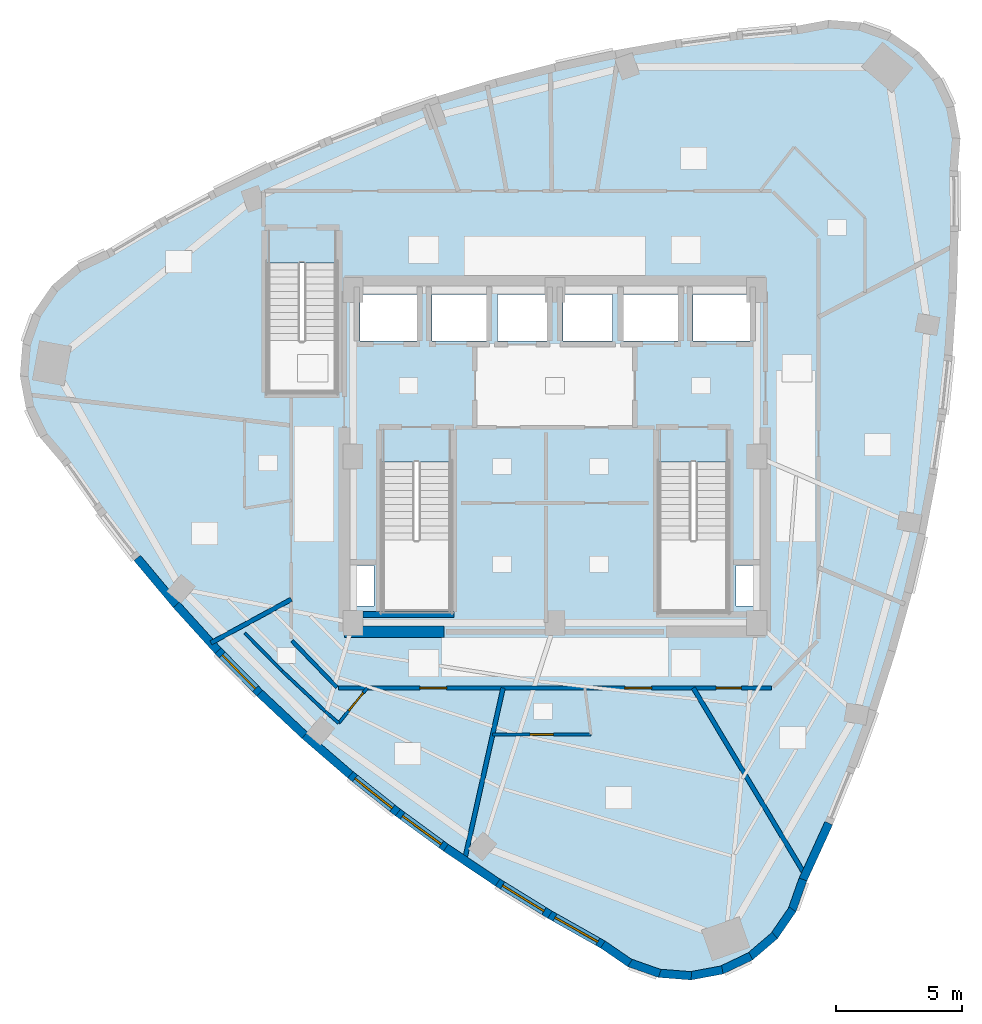
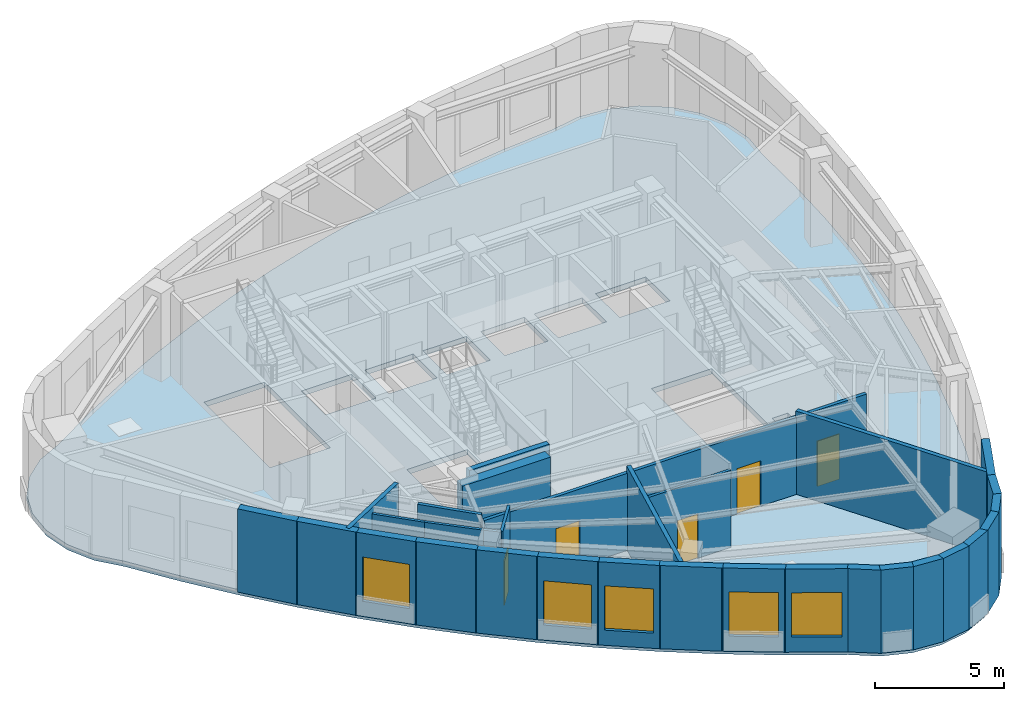
# One storey, part 2 of 9: 31 walls, 5 doors, 5 windows, 1 slab, 10 openings.
"""IFC4 building model written with IfcOpenShell, lengths in metres."""

from ifc_helpers import new_model, si_unit, direction, frame, frame_2d, origin, place, context, subcontext, project, spatial, polyline, rectangle, outline, extrude, material, layer, layer_set, type_object, element, fill, save


model = new_model("IFC4")

# Units and contexts
model_context = context("Model", 3, precision=1e-05, world=origin(), true_north=direction((0.0, 1.0)))
body_context = subcontext(model_context, "Body", "Model", "MODEL_VIEW")
ifc_project = project(units=[si_unit("LENGTHUNIT", "METRE"), si_unit("AREAUNIT", "SQUARE_METRE"), si_unit("VOLUMEUNIT", "CUBIC_METRE"), si_unit("PLANEANGLEUNIT", "RADIAN"), si_unit("MASSUNIT", "GRAM", prefix="KILO")], contexts=[model_context])

# Site, building, storey
site_placement = place(None, origin())
site = spatial("IfcSite", under=ifc_project, at=site_placement, CompositionType="ELEMENT")
building_placement = place(site_placement, origin())
building = spatial("IfcBuilding", under=site, at=building_placement, Name="Ndelora Gate Hotel", CompositionType="ELEMENT")
storey_placement = place(building_placement, frame((0.0, 0.0, 268.60009765625)))
storey = spatial("IfcBuildingStorey", under=building, at=storey_placement, Name="L67", CompositionType="ELEMENT", Elevation=268.60009765625)

# Slab
ifc_material_1 = material(Name="Concrete C40/50", Category="concrete")
ifc_layer_1 = layer(ifc_material_1, 0.25)
ifc_layer_set_1 = layer_set([ifc_layer_1], Name="Concrete C40/50")
slab_type = type_object("IfcSlabType", Name="SL-TWR-250", PredefinedType="FLOOR", material=ifc_layer_set_1)
slab_placement = place(storey_placement, frame((0.0, 0.0, -0.25)))
element("IfcSlab", 1, at=slab_placement, inside=storey, type_object=slab_type, Name="L67 Structural Floor Slab", PredefinedType="FLOOR", context=body_context, shape_type="SweptSolid", body=[
    extrude(outline(polyline([(-17.73193359375, 8.018798828125), (-18.863037109375, 7.4794921875), (-19.81591796875, 6.66552734375), (-20.525390625, 5.6328125), (-20.94384765625, 4.45166015625), (-21.0419921875, 3.20263671875), (-20.813720703125, 1.970458984375), (-20.2744140625, 0.839599609375), (-19.46044921875, -0.11328125), (-18.03662109375, -2.114990234375), (-16.54736328125, -4.044677734375), (-14.993408203125, -5.90185546875), (-13.3740234375, -7.686767578125), (-11.689697265625, -9.399658203125), (-9.9404296875, -11.0400390625), (-8.126220703125, -12.6083984375), (-6.24658203125, -14.104248046875), (-4.30224609375, -15.528076171875), (-2.292724609375, -16.87939453125), (-0.21826171875, -18.15869140625), (1.92138671875, -19.36572265625), (2.9541015625, -20.075439453125), (4.13525390625, -20.493896484375), (5.384521484375, -20.592041015625), (6.61669921875, -20.36376953125), (7.74755859375, -19.82421875), (8.700439453125, -19.010498046875), (9.41015625, -17.977783203125), (9.828369140625, -16.796630859375), (10.85009765625, -14.5625), (11.7763671875, -12.30810546875), (12.60791015625, -10.03369140625), (13.343994140625, -7.739013671875), (13.985107421875, -5.423828125), (14.53125, -3.088623046875), (14.982177734375, -0.7333984375), (15.337890625, 1.642333984375), (15.598876953125, 4.0380859375), (15.764404296875, 6.4541015625), (15.8349609375, 8.890380859375), (15.810546875, 11.346923828125), (15.90869140625, 12.59619140625), (15.680419921875, 13.828125), (15.14111328125, 14.959228515625), (14.3271484375, 15.912109375), (13.294677734375, 16.62158203125), (12.11328125, 17.0400390625), (10.8642578125, 17.13818359375), (9.632080078125, 16.909912109375), (7.1865234375, 16.677490234375), (4.77099609375, 16.352783203125), (2.385498046875, 15.935546875), (0.030029296875, 15.42578125), (-2.29541015625, 14.823486328125), (-4.5908203125, 14.12890625), (-6.85595703125, 13.341552734375), (-9.09130859375, 12.4619140625), (-11.29638671875, 11.489990234375), (-13.4716796875, 10.42529296875), (-15.616943359375, 9.268310546875), (-17.73193359375, 8.018798828125)]), holes=[polyline([(-6.85009765625, -0.22998046875), (-6.85009765625, -6.14990234375), (-4.1298828125, -6.14990234375), (-4.1298828125, -0.22998046875), (-6.85009765625, -0.22998046875)]), polyline([(4.1298828125, -0.22998046875), (4.1298828125, -6.14990234375), (6.85009765625, -6.14990234375), (6.85009765625, -0.22998046875), (4.1298828125, -0.22998046875)]), polyline([(-11.389892578125, 7.669921875), (-11.389892578125, 2.550048828125), (-8.669921875, 2.550048828125), (-8.669921875, 7.669921875), (-11.389892578125, 7.669921875)]), polyline([(-7.72998046875, 4.570068359375), (-5.469970703125, 4.570068359375), (-5.469970703125, 6.429931640625), (-7.72998046875, 6.429931640625), (-7.72998046875, 4.570068359375)]), polyline([(5.469970703125, 4.570068359375), (7.72998046875, 4.570068359375), (7.72998046875, 6.429931640625), (5.469970703125, 6.429931640625), (5.469970703125, 4.570068359375)]), polyline([(-4.8798828125, 4.570068359375), (-2.719970703125, 4.570068359375), (-2.719970703125, 6.429931640625), (-4.8798828125, 6.429931640625), (-4.8798828125, 4.570068359375)]), polyline([(2.719970703125, 4.570068359375), (4.8798828125, 4.570068359375), (4.8798828125, 6.429931640625), (2.719970703125, 6.429931640625), (2.719970703125, 4.570068359375)]), polyline([(-2.280029296875, 4.570068359375), (-0.320068359375, 4.570068359375), (-0.320068359375, 6.429931640625), (-2.280029296875, 6.429931640625), (-2.280029296875, 4.570068359375)]), polyline([(0.320068359375, 4.570068359375), (2.280029296875, 4.570068359375), (2.280029296875, 6.429931640625), (0.320068359375, 6.429931640625), (0.320068359375, 4.570068359375)]), polyline([(-7.89990234375, -5.919921875), (-7.179931640625, -5.919921875), (-7.179931640625, -4.320068359375), (-7.89990234375, -4.320068359375), (-7.89990234375, -5.919921875)]), polyline([(7.179931640625, -5.919921875), (7.89990234375, -5.919921875), (7.89990234375, -4.320068359375), (7.179931640625, -4.320068359375), (7.179931640625, -5.919921875)])]), origin(), (0.0, 0.0, 1.0), 0.25),
])

# Walls
ifc_material_2 = material(Name="Acoustic Double-Stud Gypsum Assembly", Category="gypsum")
ifc_layer_2 = layer(ifc_material_2, 0.179931640625)
ifc_layer_set_2 = layer_set([ifc_layer_2], Name="Acoustic Double-Stud Gypsum Assembly")
wall_type_1 = type_object("IfcWallType", Name="WL-ACOUST-180", PredefinedType="PARTITIONING", material=ifc_layer_set_2)
wall_1_placement = place(storey_placement, frame((-10.449951171875, -5.665283203125, 0.0), z_axis=(0.0, 0.0, 1.0), x_axis=(-0.87913221744, -0.476577951922, 0.0)))
element("IfcWall", 2, at=wall_1_placement, inside=storey, type_object=wall_type_1, Name="L67 Interior Wall IW-3", PredefinedType="PARTITIONING", context=body_context, shape_type="SweptSolid", body=[
    extrude(rectangle(XDim=3.6279296875, YDim=0.179931640625, at=frame_2d((1.81396484375, 0.0))), origin(), (0.0, 0.0, 1.0), 3.949951171875),
])
wall_2_placement = place(storey_placement, frame((-2.054931640625, -9.179931640625, 0.0), z_axis=(0.0, 0.0, 1.0), x_axis=(-0.218433184148, -0.97585190683, 0.0)))
element("IfcWall", 3, at=wall_2_placement, inside=storey, type_object=wall_type_1, Name="L67 Interior Wall IW-3", PredefinedType="PARTITIONING", context=body_context, shape_type="SweptSolid", body=[
    extrude(rectangle(XDim=7.0, YDim=0.179931640625, at=frame_2d((3.5, 0.0))), origin(), (0.0, 0.0, 1.0), 3.949951171875),
])
wall_3_placement = place(storey_placement, frame((5.488037109375, -9.179931640625, 0.0), z_axis=(0.0, 0.0, 1.0), x_axis=(0.513144382801, -0.858302302455, 0.0)))
element("IfcWall", 4, at=wall_3_placement, inside=storey, type_object=wall_type_1, Name="L67 Interior Wall IW-3", PredefinedType="PARTITIONING", context=body_context, shape_type="SweptSolid", body=[
    extrude(rectangle(XDim=8.638671875, YDim=0.179931640625, at=frame_2d((4.3193359375, 0.0))), origin(), (0.0, 0.0, 1.0), 3.949951171875),
])
ifc_material_3 = material(Name="Clay Brick Masonry", Category="masonry")
ifc_layer_3 = layer(ifc_material_3, 0.330078125)
ifc_layer_set_3 = layer_set([ifc_layer_3], Name="Clay Brick Masonry")
wall_type_2 = type_object("IfcWallType", Name="WL-BRICK-330", PredefinedType="SOLIDWALL", material=ifc_layer_set_3)
wall_4_placement = place(storey_placement, frame((-14.977294921875, -5.9208984375, 0.0), z_axis=(0.0, 0.0, 1.0), x_axis=(-0.641757017805, 0.76690803236, 0.0)))
element("IfcWall", 5, at=wall_4_placement, inside=storey, type_object=wall_type_2, Name="L67 Tower Brick Pier-and-Spandrel Wall TWR-11", PredefinedType="SOLIDWALL", context=body_context, shape_type="SweptSolid", body=[
    extrude(rectangle(XDim=2.4716796875, YDim=0.330078125, at=frame_2d((1.23583984375, 0.0))), origin(), (0.0, 0.0, 1.0), 3.949951171875),
])
wall_5_placement = place(storey_placement, frame((-13.357421875, -7.705322265625, 0.0), z_axis=(0.0, 0.0, 1.0), x_axis=(-0.671827602416, 0.740707548653, 0.0)))
element("IfcWall", 6, at=wall_5_placement, inside=storey, type_object=wall_type_2, Name="L67 Tower Brick Pier-and-Spandrel Wall TWR-12", PredefinedType="SOLIDWALL", context=body_context, shape_type="SweptSolid", body=[
    extrude(rectangle(XDim=2.4599609375, YDim=0.330078125, at=frame_2d((1.22998046875, 0.0))), origin(), (0.0, 0.0, 1.0), 3.949951171875),
])

# Wall, opening, window
wall_6_placement = place(storey_placement, frame((-11.67236328125, -9.41748046875, 0.0), z_axis=(0.0, 0.0, 1.0), x_axis=(-0.701107893647, 0.713055202257, 0.0)))
wall_6 = element("IfcWall", 7, at=wall_6_placement, inside=storey, type_object=wall_type_2, Name="L67 Tower Brick Pier-and-Spandrel Wall TWR-13", PredefinedType="SOLIDWALL", context=body_context, shape_type="SweptSolid", body=[
    extrude(rectangle(XDim=2.4521484375, YDim=0.330078125, at=frame_2d((1.22607421875, 0.0))), origin(), (0.0, 0.0, 1.0), 3.949951171875),
])
opening_1_placement = place(wall_6_placement, frame((0.281005859375, 0.0, 0.719970703125)))
opening_1 = element("IfcOpeningElement", 8, at=opening_1_placement, cuts=wall_6, Name="Opening W08", PredefinedType="OPENING", context=body_context, shape_type="SweptSolid", body=[
    extrude(rectangle(XDim=1.889892578125, YDim=2.10009765625, at=frame_2d((0.94482421875, 1.050048828125))), frame((0.0, 0.175048828125, 0.0), z_axis=(0.0, -1.0, 0.0), x_axis=(1.0, 0.0, 0.0)), (0.0, 0.0, 1.0), 0.35009765625),
])
ifc_material_4 = material(Name="Insulated Low-E Double Glazing in Bronze Aluminium Frame", Category="aluminium")
window_type = type_object("IfcWindowType", Name="WN-PENT-2250", PartitioningType="SINGLE_PANEL", PredefinedType="WINDOW", material=ifc_material_4)
window_1_placement = place(opening_1_placement, origin())
window_1 = element("IfcWindow", 9, at=window_1_placement, inside=storey, type_object=window_type, Name="L67 Deep-Set Brick-Pier Window W08", OverallHeight=2.10009765625, OverallWidth=1.889892578125, PartitioningType="SINGLE_PANEL", PredefinedType="WINDOW", context=body_context, shape_type="SweptSolid", body=[
    extrude(rectangle(XDim=1.889892578125, YDim=2.10009765625, at=frame_2d((0.94482421875, 1.050048828125))), frame((0.0, 0.030029296875, 0.0), z_axis=(0.0, -1.0, 0.0), x_axis=(1.0, 0.0, 0.0)), (0.0, 0.0, 1.0), 0.06005859375),
])
fill(opening_1, window_1)

# Walls
wall_7_placement = place(storey_placement, frame((-9.92236328125, -11.05712890625, 0.0), z_axis=(0.0, 0.0, 1.0), x_axis=(-0.72943145169, 0.68405391402, 0.0)))
element("IfcWall", 10, at=wall_7_placement, inside=storey, type_object=wall_type_2, Name="L67 Tower Brick Pier-and-Spandrel Wall TWR-14", PredefinedType="SOLIDWALL", context=body_context, shape_type="SweptSolid", body=[
    extrude(rectangle(XDim=2.447998046875, YDim=0.330078125, at=frame_2d((1.22412109375, 0.0))), origin(), (0.0, 0.0, 1.0), 3.949951171875),
])
wall_8_placement = place(storey_placement, frame((-8.107177734375, -12.62451171875, 0.0), z_axis=(0.0, 0.0, 1.0), x_axis=(-0.756596491388, 0.653882060634, 0.0)))
element("IfcWall", 11, at=wall_8_placement, inside=storey, type_object=wall_type_2, Name="L67 Tower Brick Pier-and-Spandrel Wall TWR-15", PredefinedType="SOLIDWALL", context=body_context, shape_type="SweptSolid", body=[
    extrude(rectangle(XDim=2.4482421875, YDim=0.330078125, at=frame_2d((1.22412109375, 0.0))), origin(), (0.0, 0.0, 1.0), 3.949951171875),
])

# Wall, opening, window
wall_9_placement = place(storey_placement, frame((-6.22705078125, -14.119873046875, 0.0), z_axis=(0.0, 0.0, 1.0), x_axis=(-0.782430159528, 0.622738344299, 0.0)))
wall_9 = element("IfcWall", 12, at=wall_9_placement, inside=storey, type_object=wall_type_2, Name="L67 Tower Brick Pier-and-Spandrel Wall TWR-16", PredefinedType="SOLIDWALL", context=body_context, shape_type="SweptSolid", body=[
    extrude(rectangle(XDim=2.4521484375, YDim=0.330078125, at=frame_2d((1.22607421875, 0.0))), origin(), (0.0, 0.0, 1.0), 3.949951171875),
])
opening_2_placement = place(wall_9_placement, frame((0.281005859375, 0.0, 0.719970703125)))
opening_2 = element("IfcOpeningElement", 13, at=opening_2_placement, cuts=wall_9, Name="Opening W08", PredefinedType="OPENING", context=body_context, shape_type="SweptSolid", body=[
    extrude(rectangle(XDim=1.889892578125, YDim=2.10009765625, at=frame_2d((0.94482421875, 1.050048828125))), frame((0.0, 0.175048828125, 0.0), z_axis=(0.0, -1.0, 0.0), x_axis=(1.0, 0.0, 0.0)), (0.0, 0.0, 1.0), 0.35009765625),
])
window_2_placement = place(opening_2_placement, origin())
window_2 = element("IfcWindow", 14, at=window_2_placement, inside=storey, type_object=window_type, Name="L67 Deep-Set Brick-Pier Window W08", OverallHeight=2.10009765625, OverallWidth=1.889892578125, PartitioningType="SINGLE_PANEL", PredefinedType="WINDOW", context=body_context, shape_type="SweptSolid", body=[
    extrude(rectangle(XDim=1.889892578125, YDim=2.10009765625, at=frame_2d((0.94482421875, 1.050048828125))), frame((0.0, 0.030029296875, 0.0), z_axis=(0.0, -1.0, 0.0), x_axis=(1.0, 0.0, 0.0)), (0.0, 0.0, 1.0), 0.06005859375),
])
fill(opening_2, window_2)

wall_10_placement = place(storey_placement, frame((-4.281982421875, -15.542724609375, 0.0), z_axis=(0.0, 0.0, 1.0), x_axis=(-0.806878025258, 0.59071808196, 0.0)))
wall_10 = element("IfcWall", 15, at=wall_10_placement, inside=storey, type_object=wall_type_2, Name="L67 Tower Brick Pier-and-Spandrel Wall TWR-17", PredefinedType="SOLIDWALL", context=body_context, shape_type="SweptSolid", body=[
    extrude(rectangle(XDim=2.4599609375, YDim=0.330078125, at=frame_2d((1.22998046875, 0.0))), origin(), (0.0, 0.0, 1.0), 3.949951171875),
])
opening_3_placement = place(wall_10_placement, frame((0.27978515625, 0.0, 0.719970703125)))
opening_3 = element("IfcOpeningElement", 16, at=opening_3_placement, cuts=wall_10, Name="Opening W08", PredefinedType="OPENING", context=body_context, shape_type="SweptSolid", body=[
    extrude(rectangle(XDim=1.89990234375, YDim=2.10009765625, at=frame_2d((0.949951171875, 1.050048828125))), frame((0.0, 0.175048828125, 0.0), z_axis=(0.0, -1.0, 0.0), x_axis=(1.0, 0.0, 0.0)), (0.0, 0.0, 1.0), 0.35009765625),
])
window_3_placement = place(opening_3_placement, origin())
window_3 = element("IfcWindow", 17, at=window_3_placement, inside=storey, type_object=window_type, Name="L67 Deep-Set Brick-Pier Window W08", OverallHeight=2.10009765625, OverallWidth=1.89990234375, PartitioningType="SINGLE_PANEL", PredefinedType="WINDOW", context=body_context, shape_type="SweptSolid", body=[
    extrude(rectangle(XDim=1.89990234375, YDim=2.10009765625, at=frame_2d((0.949951171875, 1.050048828125))), frame((0.0, 0.030029296875, 0.0), z_axis=(0.0, -1.0, 0.0), x_axis=(1.0, 0.0, 0.0)), (0.0, 0.0, 1.0), 0.06005859375),
])
fill(opening_3, window_3)

# Wall
wall_11_placement = place(storey_placement, frame((-2.27197265625, -16.8935546875, 0.0), z_axis=(0.0, 0.0, 1.0), x_axis=(-0.829748723079, 0.558137130594, 0.0)))
element("IfcWall", 18, at=wall_11_placement, inside=storey, type_object=wall_type_2, Name="L67 Tower Brick Pier-and-Spandrel Wall TWR-18", PredefinedType="SOLIDWALL", context=body_context, shape_type="SweptSolid", body=[
    extrude(rectangle(XDim=2.471923828125, YDim=0.330078125, at=frame_2d((1.23583984375, 0.0))), origin(), (0.0, 0.0, 1.0), 3.949951171875),
])

# Wall, opening, window
wall_12_placement = place(storey_placement, frame((-0.197021484375, -18.171875, 0.0), z_axis=(0.0, 0.0, 1.0), x_axis=(-0.851175986277, 0.524880405792, 0.0)))
wall_12 = element("IfcWall", 19, at=wall_12_placement, inside=storey, type_object=wall_type_2, Name="L67 Tower Brick Pier-and-Spandrel Wall TWR-19", PredefinedType="SOLIDWALL", context=body_context, shape_type="SweptSolid", body=[
    extrude(rectangle(XDim=2.487060546875, YDim=0.330078125, at=frame_2d((1.24365234375, 0.0))), origin(), (0.0, 0.0, 1.0), 3.949951171875),
])
opening_4_placement = place(wall_12_placement, frame((0.278564453125, 0.0, 0.719970703125)))
opening_4 = element("IfcOpeningElement", 20, at=opening_4_placement, cuts=wall_12, Name="Opening W08", PredefinedType="OPENING", context=body_context, shape_type="SweptSolid", body=[
    extrude(rectangle(XDim=1.929931640625, YDim=2.10009765625, at=frame_2d((0.96484375, 1.050048828125))), frame((0.0, 0.175048828125, 0.0), z_axis=(0.0, -1.0, 0.0), x_axis=(1.0, 0.0, 0.0)), (0.0, 0.0, 1.0), 0.35009765625),
])
window_4_placement = place(opening_4_placement, origin())
window_4 = element("IfcWindow", 21, at=window_4_placement, inside=storey, type_object=window_type, Name="L67 Deep-Set Brick-Pier Window W08", OverallHeight=2.10009765625, OverallWidth=1.929931640625, PartitioningType="SINGLE_PANEL", PredefinedType="WINDOW", context=body_context, shape_type="SweptSolid", body=[
    extrude(rectangle(XDim=1.929931640625, YDim=2.10009765625, at=frame_2d((0.96484375, 1.050048828125))), frame((0.0, 0.030029296875, 0.0), z_axis=(0.0, -1.0, 0.0), x_axis=(1.0, 0.0, 0.0)), (0.0, 0.0, 1.0), 0.06005859375),
])
fill(opening_4, window_4)

wall_13_placement = place(storey_placement, frame((1.943359375, -19.378173828125, 0.0), z_axis=(0.0, 0.0, 1.0), x_axis=(-0.870968849899, 0.491338236357, 0.0)))
wall_13 = element("IfcWall", 22, at=wall_13_placement, inside=storey, type_object=wall_type_2, Name="L67 Tower Brick Pier-and-Spandrel Wall TWR-20", PredefinedType="SOLIDWALL", context=body_context, shape_type="SweptSolid", body=[
    extrude(rectangle(XDim=2.5068359375, YDim=0.330078125, at=frame_2d((1.25341796875, 0.0))), origin(), (0.0, 0.0, 1.0), 3.949951171875),
])
opening_5_placement = place(wall_13_placement, frame((0.2783203125, 0.0, 0.719970703125)))
opening_5 = element("IfcOpeningElement", 23, at=opening_5_placement, cuts=wall_13, Name="Opening W08", PredefinedType="OPENING", context=body_context, shape_type="SweptSolid", body=[
    extrude(rectangle(XDim=1.949951171875, YDim=2.10009765625, at=frame_2d((0.97509765625, 1.050048828125))), frame((0.0, 0.175048828125, 0.0), z_axis=(0.0, -1.0, 0.0), x_axis=(1.0, 0.0, 0.0)), (0.0, 0.0, 1.0), 0.35009765625),
])
window_5_placement = place(opening_5_placement, origin())
window_5 = element("IfcWindow", 24, at=window_5_placement, inside=storey, type_object=window_type, Name="L67 Deep-Set Brick-Pier Window W08", OverallHeight=2.10009765625, OverallWidth=1.949951171875, PartitioningType="SINGLE_PANEL", PredefinedType="WINDOW", context=body_context, shape_type="SweptSolid", body=[
    extrude(rectangle(XDim=1.949951171875, YDim=2.10009765625, at=frame_2d((0.97509765625, 1.050048828125))), frame((0.0, 0.030029296875, 0.0), z_axis=(0.0, -1.0, 0.0), x_axis=(1.0, 0.0, 0.0)), (0.0, 0.0, 1.0), 0.06005859375),
])
fill(opening_5, window_5)

# Walls
wall_14_placement = place(storey_placement, frame((2.974609375, -20.089599609375, 0.0), z_axis=(0.0, 0.0, 1.0), x_axis=(-0.824096593529, 0.566449295643, 0.0)))
element("IfcWall", 25, at=wall_14_placement, inside=storey, type_object=wall_type_2, Name="L67 Tower Brick Pier-and-Spandrel Wall TWR-21", PredefinedType="SOLIDWALL", context=body_context, shape_type="SweptSolid", body=[
    extrude(rectangle(XDim=1.302978515625, YDim=0.330078125, at=frame_2d((0.6513671875, 0.0))), origin(), (0.0, 0.0, 1.0), 3.949951171875),
])
wall_15_placement = place(storey_placement, frame((4.158935546875, -20.502197265625, 0.0), z_axis=(0.0, 0.0, 1.0), x_axis=(-0.942637049927, 0.333819400431, 0.0)))
element("IfcWall", 26, at=wall_15_placement, inside=storey, type_object=wall_type_2, Name="L67 Tower Brick Pier-and-Spandrel Wall TWR-22", PredefinedType="SOLIDWALL", context=body_context, shape_type="SweptSolid", body=[
    extrude(rectangle(XDim=1.30322265625, YDim=0.330078125, at=frame_2d((0.651611328125, 0.0))), origin(), (0.0, 0.0, 1.0), 3.949951171875),
])
for number, where, z_axis, x_axis, name in (
    (27, (5.409423828125, -20.593994140625, 0.0), (0.0, 0.0, 1.0), (-0.996913988439, 0.078501590144, 0.0), "L67 Tower Brick Pier-and-Spandrel Wall TWR-23"),
    (28, (6.64111328125, -20.359130859375, 0.0), (0.0, 0.0, 1.0), (-0.983243468193, -0.182297236005, 0.0), "L67 Tower Brick Pier-and-Spandrel Wall TWR-24"),
):
    element("IfcWall", number, at=place(storey_placement, frame(where, z_axis=z_axis, x_axis=x_axis)), inside=storey, type_object=wall_type_2, Name=name, PredefinedType="SOLIDWALL", context=body_context, shape_type="SweptSolid", body=[
        extrude(rectangle(XDim=1.302978515625, YDim=0.330078125, at=frame_2d((0.6513671875, 0.0))), origin(), (0.0, 0.0, 1.0), 3.949951171875),
    ])
wall_16_placement = place(storey_placement, frame((7.770263671875, -19.8134765625, 0.0), z_axis=(0.0, 0.0, 1.0), x_axis=(-0.902590242775, -0.430500701099, 0.0)))
element("IfcWall", 29, at=wall_16_placement, inside=storey, type_object=wall_type_2, Name="L67 Tower Brick Pier-and-Spandrel Wall TWR-25", PredefinedType="SOLIDWALL", context=body_context, shape_type="SweptSolid", body=[
    extrude(rectangle(XDim=1.30322265625, YDim=0.330078125, at=frame_2d((0.651611328125, 0.0))), origin(), (0.0, 0.0, 1.0), 3.949951171875),
])
for number, where, z_axis, x_axis, name in (
    (30, (8.719482421875, -18.994384765625, 0.0), (0.0, 0.0, 1.0), (-0.760471977712, -0.649370750123, 0.0), "L67 Tower Brick Pier-and-Spandrel Wall TWR-26"),
    (31, (9.42431640625, -17.957275390625, 0.0), (0.0, 0.0, 1.0), (-0.566449295643, -0.824096593529, 0.0), "L67 Tower Brick Pier-and-Spandrel Wall TWR-27"),
):
    element("IfcWall", number, at=place(storey_placement, frame(where, z_axis=z_axis, x_axis=x_axis)), inside=storey, type_object=wall_type_2, Name=name, PredefinedType="SOLIDWALL", context=body_context, shape_type="SweptSolid", body=[
        extrude(rectangle(XDim=1.302978515625, YDim=0.330078125, at=frame_2d((0.6513671875, 0.0))), origin(), (0.0, 0.0, 1.0), 3.949951171875),
    ])
wall_17_placement = place(storey_placement, frame((9.836669921875, -16.77294921875, 0.0), z_axis=(0.0, 0.0, 1.0), x_axis=(-0.333652931337, -0.942695985676, 0.0)))
element("IfcWall", 32, at=wall_17_placement, inside=storey, type_object=wall_type_2, Name="L67 Tower Brick Pier-and-Spandrel Wall TWR-28", PredefinedType="SOLIDWALL", context=body_context, shape_type="SweptSolid", body=[
    extrude(rectangle(XDim=1.30322265625, YDim=0.330078125, at=frame_2d((0.651611328125, 0.0))), origin(), (0.0, 0.0, 1.0), 3.949951171875),
])
wall_18_placement = place(storey_placement, frame((10.8603515625, -14.539794921875, 0.0), z_axis=(0.0, 0.0, 1.0), x_axis=(-0.415812703035, -0.909450271315, 0.0)))
element("IfcWall", 33, at=wall_18_placement, inside=storey, type_object=wall_type_2, Name="L67 Tower Brick Pier-and-Spandrel Wall TWR-29", PredefinedType="SOLIDWALL", context=body_context, shape_type="SweptSolid", body=[
    extrude(rectangle(XDim=2.506591796875, YDim=0.330078125, at=frame_2d((1.25341796875, 0.0))), origin(), (0.0, 0.0, 1.0), 3.949951171875),
])
ifc_material_5 = material(Name="Concrete C50/60", Category="concrete")
ifc_layer_4 = layer(ifc_material_5, 0.449951171875)
ifc_layer_set_4 = layer_set([ifc_layer_4], Name="Concrete C50/60")
wall_type_3 = type_object("IfcWallType", Name="WL-CORE-450", PredefinedType="SHEAR", material=ifc_layer_set_4)
wall_19_placement = place(storey_placement, frame((-8.35009765625, -6.949951171875, 0.0), z_axis=(0.0, 0.0, 1.0), x_axis=(1.0, 0.0, 0.0)))
element("IfcWall", 34, at=wall_19_placement, inside=storey, type_object=wall_type_3, Name="L67 Core Shear Wall S-W", PredefinedType="SHEAR", context=body_context, shape_type="SweptSolid", body=[
    extrude(rectangle(XDim=3.9501953125, YDim=0.449951171875, at=frame_2d((1.97509765625, 0.0))), origin(), (0.0, 0.0, 1.0), 3.949951171875),
])

# Wall, openings, doors
ifc_material_6 = material(Name="Fire-Rated Gypsum Stud Partition", Category="gypsum")
ifc_layer_5 = layer(ifc_material_6, 0.14990234375)
ifc_layer_set_5 = layer_set([ifc_layer_5], Name="Fire-Rated Gypsum Stud Partition")
wall_type_4 = type_object("IfcWallType", Name="WL-PART-150", PredefinedType="PARTITIONING", material=ifc_layer_set_5)
wall_20_placement = place(storey_placement, frame((8.580078125, -9.179931640625, 0.0), z_axis=(0.0, 0.0, 1.0), x_axis=(-1.0, 0.0, 0.0)))
wall_20 = element("IfcWall", 35, at=wall_20_placement, inside=storey, type_object=wall_type_4, Name="L67 Interior Wall IW-5", PredefinedType="PARTITIONING", context=body_context, shape_type="SweptSolid", body=[
    extrude(rectangle(XDim=17.16015625, YDim=0.14990234375, at=frame_2d((8.580078125, 0.0))), origin(), (0.0, 0.0, 1.0), 3.659912109375),
])
opening_6_placement = place(wall_20_placement, frame((12.871337890625, 0.0, 0.0)))
opening_6 = element("IfcOpeningElement", 36, at=opening_6_placement, cuts=wall_20, Name="Opening D07", PredefinedType="OPENING", context=body_context, shape_type="SweptSolid", body=[
    extrude(rectangle(XDim=1.06005859375, YDim=2.14990234375, at=frame_2d((0.530029296875, 1.074951171875))), frame((0.0, 0.0849609375, 0.0), z_axis=(0.0, -1.0, 0.0), x_axis=(1.0, 0.0, 0.0)), (0.0, 0.0, 1.0), 0.169921875),
])
opening_7_placement = place(wall_20_placement, frame((1.185791015625, 0.0, 0.0)))
opening_7 = element("IfcOpeningElement", 37, at=opening_7_placement, cuts=wall_20, Name="Opening D01", PredefinedType="OPENING", context=body_context, shape_type="SweptSolid", body=[
    extrude(rectangle(XDim=1.0, YDim=2.14990234375, at=frame_2d((0.5, 1.074951171875))), frame((0.0, 0.0849609375, 0.0), z_axis=(0.0, -1.0, 0.0), x_axis=(1.0, 0.0, 0.0)), (0.0, 0.0, 1.0), 0.169921875),
])
opening_8_placement = place(wall_20_placement, frame((4.7470703125, 0.0, 0.0)))
opening_8 = element("IfcOpeningElement", 38, at=opening_8_placement, cuts=wall_20, Name="Opening D07", PredefinedType="OPENING", context=body_context, shape_type="SweptSolid", body=[
    extrude(rectangle(XDim=1.06005859375, YDim=2.14990234375, at=frame_2d((0.530029296875, 1.074951171875))), frame((0.0, 0.0849609375, 0.0), z_axis=(0.0, -1.0, 0.0), x_axis=(1.0, 0.0, 0.0)), (0.0, 0.0, 1.0), 0.169921875),
])
ifc_material_7 = material(Name="Acoustic Hardwood Guest Entrance Door", Category="wood")
door_type_1 = type_object("IfcDoorType", Name="DR-COR-1000", OperationType="SINGLE_SWING_LEFT", PredefinedType="DOOR", material=ifc_material_7)
door_1_placement = place(opening_7_placement, origin())
door_1 = element("IfcDoor", 39, at=door_1_placement, inside=storey, type_object=door_type_1, Name="L67 Summit Collector Study Entrance Door", OperationType="SINGLE_SWING_RIGHT", OverallHeight=2.14990234375, OverallWidth=1.0, PredefinedType="DOOR", context=body_context, shape_type="SweptSolid", body=[
    extrude(rectangle(XDim=1.0, YDim=2.14990234375, at=frame_2d((0.5, 1.074951171875))), frame((0.0, 0.02490234375, 0.0), z_axis=(0.0, -1.0, 0.0), x_axis=(1.0, 0.0, 0.0)), (0.0, 0.0, 1.0), 0.050048828125),
])
fill(opening_7, door_1)
ifc_material_8 = material(Name="Diplomatic Suite Acoustic Entrance Door", Category="wood")
door_type_2 = type_object("IfcDoorType", Name="DR-SUITE-1060", OperationType="SINGLE_SWING_LEFT", PredefinedType="DOOR", material=ifc_material_8)
door_2_placement = place(opening_6_placement, origin())
door_2 = element("IfcDoor", 40, at=door_2_placement, inside=storey, type_object=door_type_2, Name="L67 Presidential Summit Suite 7002 Entrance Door", OperationType="SINGLE_SWING_LEFT", OverallHeight=2.14990234375, OverallWidth=1.06005859375, PredefinedType="DOOR", context=body_context, shape_type="SweptSolid", body=[
    extrude(rectangle(XDim=1.06005859375, YDim=2.14990234375, at=frame_2d((0.530029296875, 1.074951171875))), frame((0.0, 0.02490234375, 0.0), z_axis=(0.0, -1.0, 0.0), x_axis=(1.0, 0.0, 0.0)), (0.0, 0.0, 1.0), 0.050048828125),
])
fill(opening_6, door_2)
door_3_placement = place(opening_8_placement, origin())
door_3 = element("IfcDoor", 41, at=door_3_placement, inside=storey, type_object=door_type_2, Name="L67 Crown Diplomatic Suite 7003 Entrance Door", OperationType="SINGLE_SWING_LEFT", OverallHeight=2.14990234375, OverallWidth=1.06005859375, PredefinedType="DOOR", context=body_context, shape_type="SweptSolid", body=[
    extrude(rectangle(XDim=1.06005859375, YDim=2.14990234375, at=frame_2d((0.530029296875, 1.074951171875))), frame((0.0, 0.02490234375, 0.0), z_axis=(0.0, -1.0, 0.0), x_axis=(1.0, 0.0, 0.0)), (0.0, 0.0, 1.0), 0.050048828125),
])
fill(opening_8, door_3)

# Walls
wall_21_placement = place(storey_placement, frame((-8.647705078125, -9.151123046875, 0.0), z_axis=(0.0, 0.0, 1.0), x_axis=(-0.693764562202, 0.720201869085, 0.0)))
element("IfcWall", 42, at=wall_21_placement, inside=storey, type_object=wall_type_4, Name="L67 Interior Wall IW-5", PredefinedType="PARTITIONING", context=body_context, shape_type="SweptSolid", body=[
    extrude(rectangle(XDim=2.55810546875, YDim=0.14990234375, at=frame_2d((1.279052734375, 0.0))), origin(), (0.0, 0.0, 1.0), 3.949951171875),
])
ifc_layer_6 = layer(ifc_material_5, 0.239990234375)
ifc_layer_set_6 = layer_set([ifc_layer_6], Name="Concrete C50/60")
wall_type_5 = type_object("IfcWallType", Name="WL-STAIR-240", PredefinedType="SHEAR", material=ifc_layer_set_6)
wall_22_placement = place(storey_placement, frame((-7.60009765625, -6.27001953125, 0.0), z_axis=(0.0, 0.0, 1.0), x_axis=(1.0, 0.0, 0.0)))
element("IfcWall", 43, at=wall_22_placement, inside=storey, type_object=wall_type_5, Name="L67 Stair Core Shear Wall SW-ST", PredefinedType="SHEAR", context=body_context, shape_type="SweptSolid", body=[
    extrude(rectangle(XDim=3.590087890625, YDim=0.239990234375, at=frame_2d((1.794921875, 0.0))), origin(), (0.0, 0.0, 1.0), 3.949951171875),
])

# Wall, opening, door
ifc_material_9 = material(Name="Moisture-Resistant Bathroom Tile Partition", Category="gypsum")
ifc_layer_7 = layer(ifc_material_9, 0.1201171875)
ifc_layer_set_7 = layer_set([ifc_layer_7], Name="Moisture-Resistant Bathroom Tile Partition")
wall_type_6 = type_object("IfcWallType", Name="WL-WET-120", PredefinedType="PARTITIONING", material=ifc_layer_set_7)
wall_23_placement = place(storey_placement, frame((-7.44287109375, -9.179931640625, 0.0), z_axis=(0.0, 0.0, 1.0), x_axis=(-0.629750844472, -0.776797189675, 0.0)))
wall_23 = element("IfcWall", 44, at=wall_23_placement, inside=storey, type_object=wall_type_6, Name="L67 Interior Wall IW-7", PredefinedType="PARTITIONING", context=body_context, shape_type="SweptSolid", body=[
    extrude(rectangle(XDim=1.79150390625, YDim=0.1201171875, at=frame_2d((0.895751953125, 0.0))), origin(), (0.0, 0.0, 1.0), 3.949951171875),
])
opening_9_placement = place(wall_23_placement, frame((0.239990234375, 0.0, 0.0)))
opening_9 = element("IfcOpeningElement", 45, at=opening_9_placement, cuts=wall_23, Name="Opening D03", PredefinedType="OPENING", context=body_context, shape_type="SweptSolid", body=[
    extrude(rectangle(XDim=0.919921875, YDim=2.10009765625, at=frame_2d((0.4599609375, 1.050048828125))), frame((0.0, 0.070068359375, 0.0), z_axis=(0.0, -1.0, 0.0), x_axis=(1.0, 0.0, 0.0)), (0.0, 0.0, 1.0), 0.14013671875),
])
ifc_material_10 = material(Name="Moisture-Resistant Hardwood En-Suite Door", Category="wood")
door_type_3 = type_object("IfcDoorType", Name="DR-BATH-920", OperationType="SINGLE_SWING_LEFT", PredefinedType="DOOR", material=ifc_material_10)
door_4_placement = place(opening_9_placement, origin())
door_4 = element("IfcDoor", 46, at=door_4_placement, inside=storey, type_object=door_type_3, Name="L67 En-suite Bathroom 7002 Door", OperationType="SINGLE_SWING_LEFT", OverallHeight=2.10009765625, OverallWidth=0.919921875, PredefinedType="DOOR", context=body_context, shape_type="SweptSolid", body=[
    extrude(rectangle(XDim=0.919921875, YDim=2.10009765625, at=frame_2d((0.4599609375, 1.050048828125))), frame((0.0, 0.02490234375, 0.0), z_axis=(0.0, -1.0, 0.0), x_axis=(1.0, 0.0, 0.0)), (0.0, 0.0, 1.0), 0.050048828125),
])
fill(opening_9, door_4)

# Walls
wall_24_placement = place(storey_placement, frame((-9.10400390625, -10.11083984375, 0.0), z_axis=(0.0, 0.0, 1.0), x_axis=(0.756534614859, -0.653953650132, 0.0)))
element("IfcWall", 47, at=wall_24_placement, inside=storey, type_object=wall_type_6, Name="L67 Interior Wall IW-7", PredefinedType="PARTITIONING", context=body_context, shape_type="SweptSolid", body=[
    extrude(rectangle(XDim=0.70458984375, YDim=0.1201171875, at=frame_2d((0.352294921875, 0.0))), origin(), (0.0, 0.0, 1.0), 3.949951171875),
])
wall_25_placement = place(storey_placement, frame((-10.81640625, -8.505126953125, 0.0), z_axis=(0.0, 0.0, 1.0), x_axis=(0.729465847855, -0.684017234295, 0.0)))
element("IfcWall", 48, at=wall_25_placement, inside=storey, type_object=wall_type_6, Name="L67 Interior Wall IW-7", PredefinedType="PARTITIONING", context=body_context, shape_type="SweptSolid", body=[
    extrude(rectangle(XDim=2.347412109375, YDim=0.1201171875, at=frame_2d((1.173828125, 0.0))), origin(), (0.0, 0.0, 1.0), 3.949951171875),
])
wall_26_placement = place(storey_placement, frame((-12.300048828125, -6.996337890625, 0.0), z_axis=(0.0, 0.0, 1.0), x_axis=(0.701139951814, -0.713023679811, 0.0)))
element("IfcWall", 49, at=wall_26_placement, inside=storey, type_object=wall_type_6, Name="L67 Interior Wall IW-7", PredefinedType="PARTITIONING", context=body_context, shape_type="SweptSolid", body=[
    extrude(rectangle(XDim=2.115966796875, YDim=0.1201171875, at=frame_2d((1.05810546875, 0.0))), origin(), (0.0, 0.0, 1.0), 3.949951171875),
])

# Wall, opening, door
wall_27_placement = place(storey_placement, frame((1.43017578125, -11.030029296875, 0.0), z_axis=(0.0, 0.0, 1.0), x_axis=(-1.0, 0.0, 0.0)))
wall_27 = element("IfcWall", 50, at=wall_27_placement, inside=storey, type_object=wall_type_6, Name="L67 Interior Wall IW-7", PredefinedType="PARTITIONING", context=body_context, shape_type="SweptSolid", body=[
    extrude(rectangle(XDim=3.899169921875, YDim=0.1201171875, at=frame_2d((1.94970703125, 0.0))), origin(), (0.0, 0.0, 1.0), 3.659912109375),
])
opening_10_placement = place(wall_27_placement, frame((1.489501953125, 0.0, 0.0)))
opening_10 = element("IfcOpeningElement", 51, at=opening_10_placement, cuts=wall_27, Name="Opening D03", PredefinedType="OPENING", context=body_context, shape_type="SweptSolid", body=[
    extrude(rectangle(XDim=0.919921875, YDim=2.10009765625, at=frame_2d((0.4599609375, 1.050048828125))), frame((0.0, 0.070068359375, 0.0), z_axis=(0.0, -1.0, 0.0), x_axis=(1.0, 0.0, 0.0)), (0.0, 0.0, 1.0), 0.14013671875),
])
door_5_placement = place(opening_10_placement, origin())
door_5 = element("IfcDoor", 52, at=door_5_placement, inside=storey, type_object=door_type_3, Name="L67 En-suite Bathroom 7003 Door", OperationType="SINGLE_SWING_RIGHT", OverallHeight=2.10009765625, OverallWidth=0.919921875, PredefinedType="DOOR", context=body_context, shape_type="SweptSolid", body=[
    extrude(rectangle(XDim=0.919921875, YDim=2.10009765625, at=frame_2d((0.4599609375, 1.050048828125))), frame((0.0, 0.02490234375, 0.0), z_axis=(0.0, -1.0, 0.0), x_axis=(1.0, 0.0, 0.0)), (0.0, 0.0, 1.0), 0.050048828125),
])
fill(opening_10, door_5)

save(model, "model.ifc")
